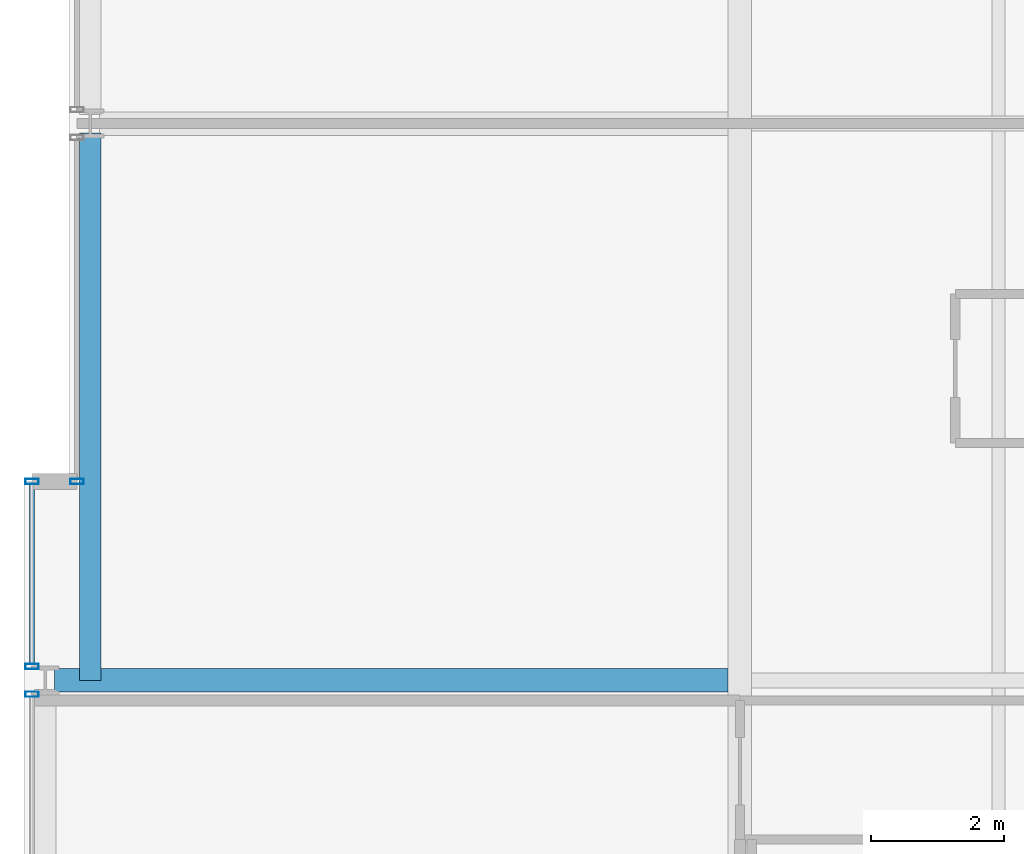
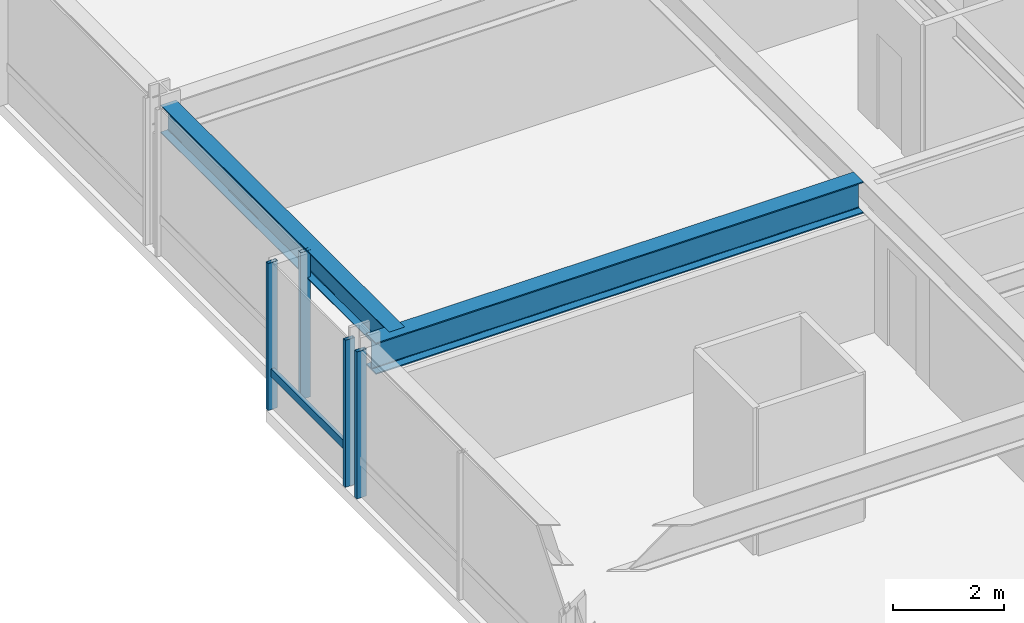
# One storey, part 7 of 33: 5 members, 2 beams, 3 elements without a shape of their own.
"""IFC4 building model written with IfcOpenShell, lengths in metres."""

from ifc_helpers import new_model, si_unit, direction, frame, origin, origin_2d, place, context, subcontext, project, spatial, hollow_rectangle, i_section, extrude, material, layer, layer_set, material_profile, profile_set, type_object, element, aggregate, save


model = new_model("IFC4")

# Units and contexts
model_context = context("Model", 3, precision=1e-05, world=origin(), true_north=direction((0.0, 1.0)))
body_context = subcontext(model_context, "Body", "Model", "MODEL_VIEW")
ifc_project = project(units=[si_unit("LENGTHUNIT", "METRE"), si_unit("AREAUNIT", "SQUARE_METRE"), si_unit("VOLUMEUNIT", "CUBIC_METRE"), si_unit("PLANEANGLEUNIT", "RADIAN"), si_unit("MASSUNIT", "GRAM", prefix="KILO")], contexts=[model_context])

# Site, building, storey
site_placement = place(None, origin())
site = spatial("IfcSite", under=ifc_project, at=site_placement, CompositionType="ELEMENT")
building_placement = place(site_placement, origin())
building = spatial("IfcBuilding", under=site, at=building_placement, Name="Drelvath Grand Hotel", CompositionType="ELEMENT")
storey_placement = place(building_placement, frame((0.0, 0.0, 119.800048828125)))
storey = spatial("IfcBuildingStorey", under=building, at=storey_placement, Name="L30", CompositionType="ELEMENT", Elevation=119.800048828125)

# Curtain wall, member
ifc_material_1 = material(Name="Champagne Bronze Anodised Aluminium Frame", Category="aluminium")
ifc_layer = layer(ifc_material_1, 0.199951171875)
ifc_layer_set = layer_set([ifc_layer], Name="Champagne Bronze Anodised Aluminium Frame")
curtain_wall_type = type_object("IfcCurtainWallType", Name="Stick Curtain Wall CW-03 Champagne Bronze Mid-Rise", PredefinedType="NOTDEFINED", material=ifc_layer_set)
curtain_wall_1_placement = place(storey_placement, origin())
curtain_wall_1 = element("IfcCurtainWall", 1, at=curtain_wall_1_placement, inside=storey, type_object=curtain_wall_type, Name="L30 CW-03 Curtain Wall CW03-L30-WS3", PredefinedType="NOTDEFINED")
ifc_material_profile_1 = material_profile(ifc_material_1, hollow_rectangle(XDim=0.074951171875, YDim=0.179931640625, WallThickness=0.0048828125, at=origin_2d()), Name="HSS180X75X5")
ifc_profile_set_1 = profile_set([ifc_material_profile_1], Name="Champagne Bronze Anodised Aluminium Frame")
member_type_1 = type_object("IfcMemberType", Name="Curtain Wall Horizontal Transom CW-03 HSS180X75X5", PredefinedType="USERDEFINED", material=ifc_profile_set_1)
member_1_placement = place(storey_placement, frame((-26.8798828125, 18.849365234375, 0.81005859375), z_axis=(0.0, 1.0, 0.0), x_axis=(-1.0, 0.0, 0.0)))
member_1 = element("IfcMember", 2, at=member_1_placement, type_object=member_type_1, Name="CW03-L30-WS3 Sill Transom", ObjectType="TRANSOM", PredefinedType="USERDEFINED", context=body_context, shape_type="SweptSolid", body=[
    extrude(hollow_rectangle(XDim=0.074951171875, YDim=0.179931640625, WallThickness=0.0048828125, at=origin_2d()), origin(), (0.0, 0.0, 1.0), 2.710693359375),
])

curtain_wall_2_placement = place(storey_placement, origin())
curtain_wall_2 = element("IfcCurtainWall", 3, at=curtain_wall_2_placement, inside=storey, type_object=curtain_wall_type, Name="L30 CW-03 Curtain Wall CW03-L30-WS2", PredefinedType="NOTDEFINED")
ifc_material_profile_2 = material_profile(ifc_material_1, hollow_rectangle(XDim=0.080078125, YDim=0.199951171875, WallThickness=0.0048828125, at=origin_2d()), Name="HSS200X80X5")
ifc_profile_set_2 = profile_set([ifc_material_profile_2], Name="Champagne Bronze Anodised Aluminium Frame")
member_type_2 = type_object("IfcMemberType", Name="Curtain Wall Vertical Mullion CW-03 HSS200X80X5", PredefinedType="MULLION", material=ifc_profile_set_2)
member_2_placement = place(storey_placement, frame((-26.8798828125, 18.390625, 0.0), z_axis=(0.0, 0.0, 1.0), x_axis=(0.0, 1.0, 0.0)))
member_2 = element("IfcMember", 4, at=member_2_placement, type_object=member_type_2, Name="CW03-L30-WS2 Mullion 3", PredefinedType="MULLION", context=body_context, shape_type="SweptSolid", body=[
    extrude(hollow_rectangle(XDim=0.080078125, YDim=0.199951171875, WallThickness=0.0048828125, at=origin_2d()), origin(), (0.0, 0.0, 1.0), 3.239990234375),
])
aggregate(curtain_wall_2, [member_2])

# Member
member_3_placement = place(storey_placement, frame((-26.8798828125, 18.809326171875, 0.0), z_axis=(0.0, 0.0, 1.0), x_axis=(0.0, 1.0, 0.0)))
member_3 = element("IfcMember", 5, at=member_3_placement, type_object=member_type_2, Name="CW03-L30-WS3 Mullion 1", PredefinedType="MULLION", context=body_context, shape_type="SweptSolid", body=[
    extrude(hollow_rectangle(XDim=0.080078125, YDim=0.199951171875, WallThickness=0.0048828125, at=origin_2d()), origin(), (0.0, 0.0, 1.0), 3.239990234375),
])

member_4_placement = place(storey_placement, frame((-26.8798828125, 21.60009765625, 0.0), z_axis=(0.0, 0.0, 1.0), x_axis=(0.0, 1.0, 0.0)))
member_4 = element("IfcMember", 6, at=member_4_placement, type_object=member_type_2, Name="CW03-L30-WS3 Mullion 2", PredefinedType="MULLION", context=body_context, shape_type="SweptSolid", body=[
    extrude(hollow_rectangle(XDim=0.080078125, YDim=0.199951171875, WallThickness=0.0048828125, at=origin_2d()), origin(), (0.0, 0.0, 1.0), 3.239990234375),
])

aggregate(curtain_wall_1, [member_3, member_4, member_1])

# Curtain wall, member
curtain_wall_3_placement = place(storey_placement, origin())
curtain_wall_3 = element("IfcCurtainWall", 7, at=curtain_wall_3_placement, inside=storey, type_object=curtain_wall_type, Name="L30 CW-03 Curtain Wall CW03-L30-WM1", PredefinedType="NOTDEFINED")
member_5_placement = place(storey_placement, frame((-26.199951171875, 21.60009765625, 0.0), z_axis=(0.0, 0.0, 1.0), x_axis=(0.0, 1.0, 0.0)))
member_5 = element("IfcMember", 8, at=member_5_placement, type_object=member_type_2, Name="CW03-L30-WM1 Mullion 1", PredefinedType="MULLION", context=body_context, shape_type="SweptSolid", body=[
    extrude(hollow_rectangle(XDim=0.080078125, YDim=0.199951171875, WallThickness=0.0048828125, at=origin_2d()), origin(), (0.0, 0.0, 1.0), 3.239990234375),
])
aggregate(curtain_wall_3, [member_5])

# Beams
ifc_material_2 = material(Name="Steel ASTM A992 Gr 50", Category="steel")
ifc_material_profile_3 = material_profile(ifc_material_2, i_section(OverallWidth=0.323974609375, OverallDepth=0.611083984375, WebThickness=0.0126953125, FlangeThickness=0.01904296875, FilletRadius=0.02197265625, at=origin_2d()), Name="W24X104")
ifc_profile_set_3 = profile_set([ifc_material_profile_3], Name="Steel ASTM A992 Gr 50")
beam_type_1 = type_object("IfcBeamType", Name="Perimeter Spandrel Beam W24X104", PredefinedType="SPANDREL", material=ifc_profile_set_3)
beam_1_placement = place(storey_placement, frame((-26.0, 18.60009765625, 2.9345703125), z_axis=(0.0, 1.0, 0.0), x_axis=(-1.0, 0.0, 0.0)))
element("IfcBeam", 9, at=beam_1_placement, inside=storey, type_object=beam_type_1, Name="L30 Spandrel West Mid S", PredefinedType="SPANDREL", context=body_context, shape_type="SweptSolid", body=[
    extrude(i_section(OverallWidth=0.323974609375, OverallDepth=0.611083984375, WebThickness=0.0126953125, FlangeThickness=0.01904296875, FilletRadius=0.02197265625, at=origin_2d()), origin(), (0.0, 0.0, 1.0), 8.260009765625),
])
ifc_material_profile_4 = material_profile(ifc_material_2, i_section(OverallWidth=0.354736328125, OverallDepth=0.695556640625, WebThickness=0.015380859375, FlangeThickness=0.025146484375, FilletRadius=0.02392578125, at=origin_2d()), Name="W27X146")
ifc_profile_set_4 = profile_set([ifc_material_profile_4], Name="Steel ASTM A992 Gr 50")
beam_type_2 = type_object("IfcBeamType", Name="Primary Floor Girder W27X146", PredefinedType="BEAM", material=ifc_profile_set_4)
beam_2_placement = place(storey_placement, frame((-26.5400390625, 18.60009765625, 2.892333984375), z_axis=(1.0, 0.0, 0.0), x_axis=(0.0, 1.0, 0.0)))
element("IfcBeam", 10, at=beam_2_placement, inside=storey, type_object=beam_type_2, Name="L30 West Wing Girder D", PredefinedType="BEAM", context=body_context, shape_type="SweptSolid", body=[
    extrude(i_section(OverallWidth=0.354736328125, OverallDepth=0.695556640625, WebThickness=0.015380859375, FlangeThickness=0.025146484375, FilletRadius=0.02392578125, at=origin_2d()), origin(), (0.0, 0.0, 1.0), 10.16259765625),
])

save(model, "model.ifc")
